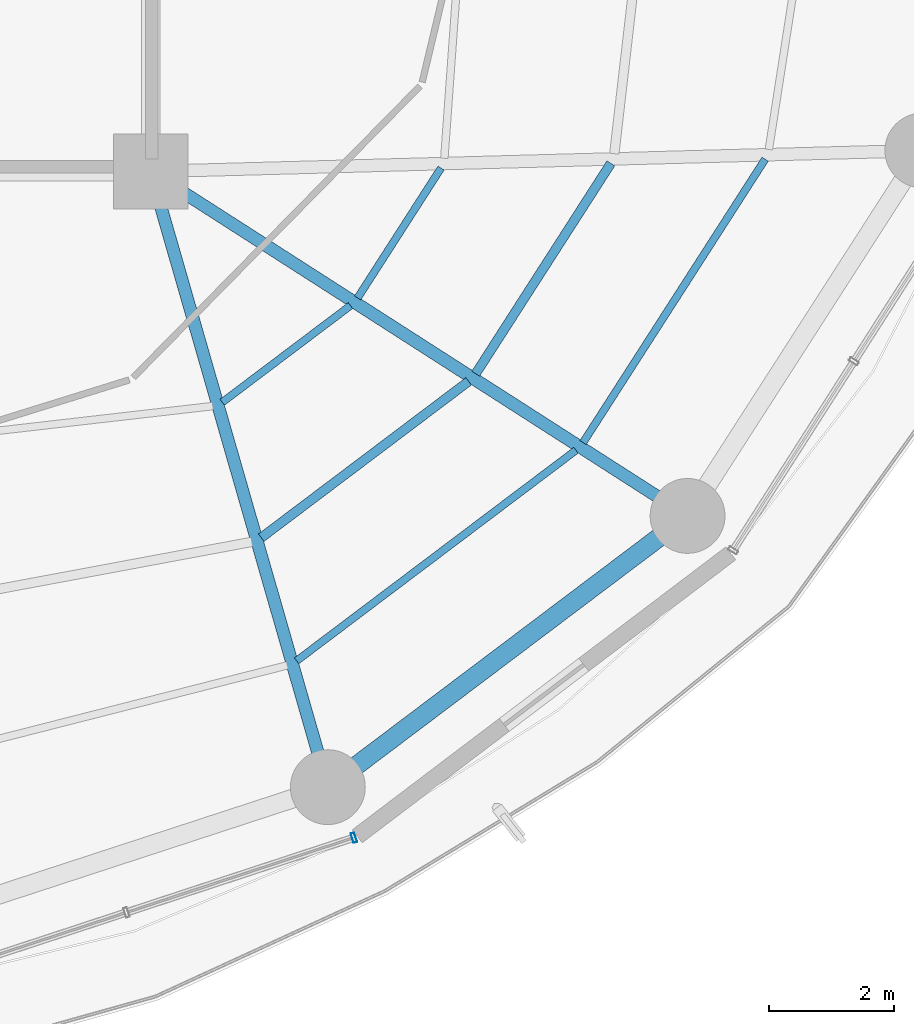
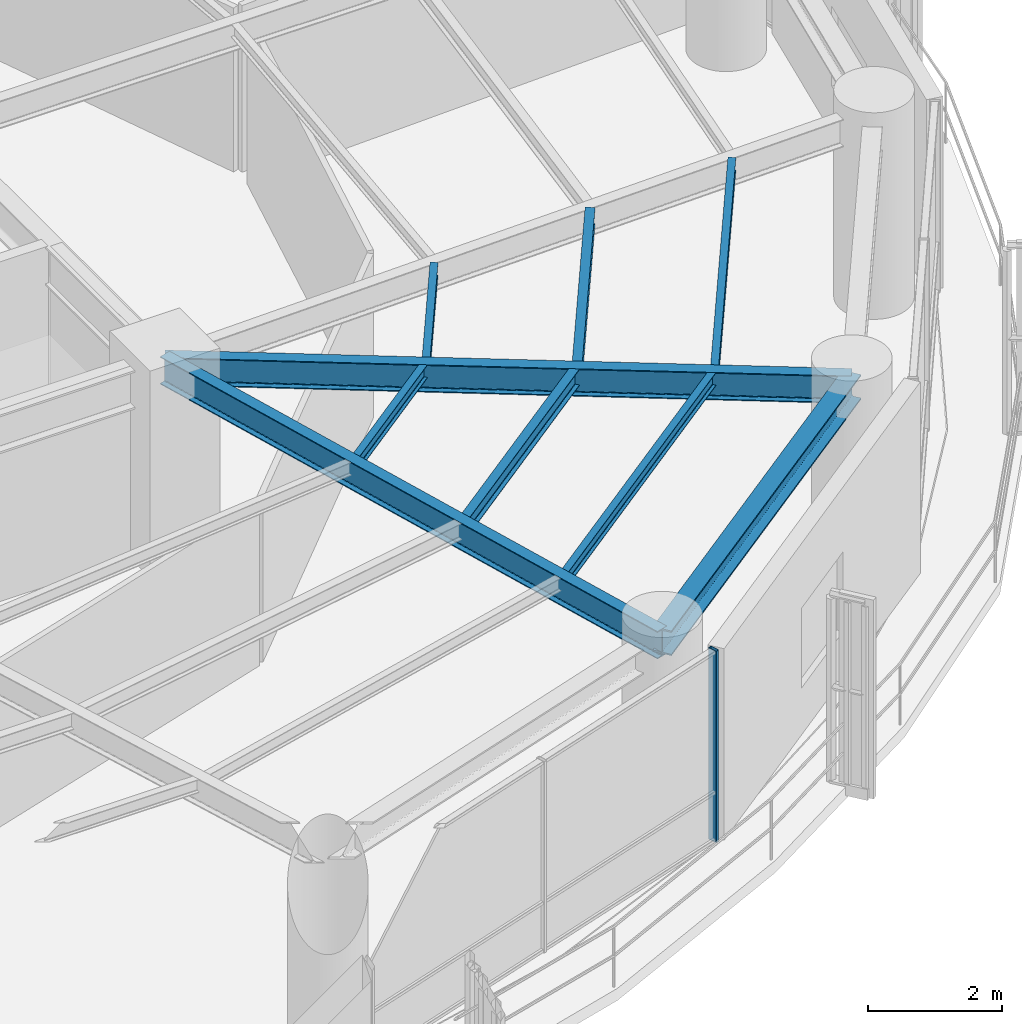
# One storey, part 10 of 28: 9 beams, 1 member, 1 element without a shape of its own.
"""IFC4 building model written with IfcOpenShell, lengths in metres."""

from ifc_helpers import new_model, si_unit, direction, frame, origin, origin_2d, place, context, subcontext, project, spatial, hollow_rectangle, i_section, extrude, material, layer, layer_set, material_profile, profile_set, type_object, element, aggregate, save


model = new_model("IFC4")

# Units and contexts
model_context = context("Model", 3, precision=1e-05, world=origin(), true_north=direction((0.0, 1.0)))
body_context = subcontext(model_context, "Body", "Model", "MODEL_VIEW")
ifc_project = project(units=[si_unit("LENGTHUNIT", "METRE"), si_unit("AREAUNIT", "SQUARE_METRE"), si_unit("VOLUMEUNIT", "CUBIC_METRE"), si_unit("PLANEANGLEUNIT", "RADIAN"), si_unit("MASSUNIT", "GRAM", prefix="KILO")], contexts=[model_context])

# Site, building, storey
site_placement = place(None, origin())
site = spatial("IfcSite", under=ifc_project, at=site_placement, CompositionType="ELEMENT")
building_placement = place(site_placement, origin())
building = spatial("IfcBuilding", under=site, at=building_placement, Name="Kelanora Arch Commons", CompositionType="ELEMENT")
storey_placement = place(building_placement, frame((0.0, 0.0, 161.85009765625)))
storey = spatial("IfcBuildingStorey", under=building, at=storey_placement, Name="L41", CompositionType="ELEMENT", Elevation=161.85009765625)

# Beams
ifc_material_1 = material(Name="Steel S355", Category="steel")
ifc_material_profile_1 = material_profile(ifc_material_1, i_section(OverallWidth=0.14990234375, OverallDepth=0.300048828125, WebThickness=0.007080078125, FlangeThickness=0.0107421875, FilletRadius=0.014892578125, at=origin_2d()), Name="IPE300")
ifc_profile_set_1 = profile_set([ifc_material_profile_1], Name="Steel S355")
beam_type_1 = type_object("IfcBeamType", Name="BM-JST-01", PredefinedType="JOIST", material=ifc_profile_set_1)
beam_1_placement = place(storey_placement, frame((83.77197265625, 45.129150390625, 3.33984375), z_axis=(0.798463547891, 0.602043156833, 0.0), x_axis=(-0.602043156833, 0.798463547891, 0.0)))
element("IfcBeam", 1, at=beam_1_placement, inside=storey, type_object=beam_type_1, Name="Secondary Chord Joist BJB-30 L41", PredefinedType="JOIST", context=body_context, shape_type="SweptSolid", body=[
    extrude(i_section(OverallWidth=0.14990234375, OverallDepth=0.300048828125, WebThickness=0.007080078125, FlangeThickness=0.0107421875, FilletRadius=0.014892578125, at=origin_2d()), origin(), (0.0, 0.0, 1.0), 4.163818359375),
])
beam_2_placement = place(storey_placement, frame((87.210693359375, 47.758544921875, 3.33984375), z_axis=(0.540594434398, 0.841283339606, 0.0), x_axis=(-0.841283339606, 0.540594434398, 0.0)))
element("IfcBeam", 2, at=beam_2_placement, inside=storey, type_object=beam_type_1, Name="Secondary Chord Joist BJB-32 L41", PredefinedType="JOIST", context=body_context, shape_type="SweptSolid", body=[
    extrude(i_section(OverallWidth=0.14990234375, OverallDepth=0.300048828125, WebThickness=0.007080078125, FlangeThickness=0.0107421875, FilletRadius=0.014892578125, at=origin_2d()), origin(), (0.0, 0.0, 1.0), 4.008544921875),
])
ifc_material_profile_2 = material_profile(ifc_material_1, i_section(OverallWidth=0.1201171875, OverallDepth=0.239990234375, WebThickness=0.006103515625, FlangeThickness=0.009765625, FilletRadius=0.014892578125, at=origin_2d()), Name="IPE240")
ifc_profile_set_2 = profile_set([ifc_material_profile_2], Name="Steel S355")
beam_type_2 = type_object("IfcBeamType", Name="BM-JST-02", PredefinedType="JOIST", material=ifc_profile_set_2)
beam_3_placement = place(storey_placement, frame((83.147216796875, 47.300537109375, 3.369873046875), z_axis=(0.798484118859, 0.602015873487, 0.0), x_axis=(-0.602015873487, 0.798484118859, 0.0)))
element("IfcBeam", 3, at=beam_3_placement, inside=storey, type_object=beam_type_2, Name="Secondary Chord Joist BJA-30 L41", PredefinedType="JOIST", context=body_context, shape_type="SweptSolid", body=[
    extrude(i_section(OverallWidth=0.1201171875, OverallDepth=0.239990234375, WebThickness=0.006103515625, FlangeThickness=0.009765625, FilletRadius=0.014892578125, at=origin_2d()), origin(), (0.0, 0.0, 1.0), 2.57470703125),
])
beam_4_placement = place(storey_placement, frame((84.33984375, 43.155029296875, 3.369873046875), z_axis=(0.798493128577, 0.602003923256, 0.0), x_axis=(-0.602003923256, 0.798493128577, 0.0)))
element("IfcBeam", 4, at=beam_4_placement, inside=storey, type_object=beam_type_2, Name="Secondary Chord Joist BJC-30 L41", PredefinedType="JOIST", context=body_context, shape_type="SweptSolid", body=[
    extrude(i_section(OverallWidth=0.1201171875, OverallDepth=0.239990234375, WebThickness=0.006103515625, FlangeThickness=0.009765625, FilletRadius=0.014892578125, at=origin_2d()), origin(), (0.0, 0.0, 1.0), 5.608642578125),
])
beam_5_placement = place(storey_placement, frame((85.31689453125, 48.973388671875, 3.369873046875), z_axis=(0.540583174025, 0.841290575224, 0.0), x_axis=(-0.841290575224, 0.540583174025, 0.0)))
element("IfcBeam", 5, at=beam_5_placement, inside=storey, type_object=beam_type_2, Name="Secondary Chord Joist BJA-32 L41", PredefinedType="JOIST", context=body_context, shape_type="SweptSolid", body=[
    extrude(i_section(OverallWidth=0.1201171875, OverallDepth=0.239990234375, WebThickness=0.006103515625, FlangeThickness=0.009765625, FilletRadius=0.014892578125, at=origin_2d()), origin(), (0.0, 0.0, 1.0), 2.476318359375),
])
beam_6_placement = place(storey_placement, frame((88.93212890625, 46.654296875, 3.369873046875), z_axis=(0.540581678156, 0.841291536414, 0.0), x_axis=(-0.841291536414, 0.540581678156, 0.0)))
element("IfcBeam", 6, at=beam_6_placement, inside=storey, type_object=beam_type_2, Name="Secondary Chord Joist BJC-32 L41", PredefinedType="JOIST", context=body_context, shape_type="SweptSolid", body=[
    extrude(i_section(OverallWidth=0.1201171875, OverallDepth=0.239990234375, WebThickness=0.006103515625, FlangeThickness=0.009765625, FilletRadius=0.014892578125, at=origin_2d()), origin(), (0.0, 0.0, 1.0), 5.4013671875),
])
ifc_material_profile_3 = material_profile(ifc_material_1, i_section(OverallWidth=0.199951171875, OverallDepth=0.5, WebThickness=0.01025390625, FlangeThickness=0.01611328125, FilletRadius=0.02099609375, at=origin_2d()), Name="IPE500")
ifc_profile_set_3 = profile_set([ifc_material_profile_3], Name="Steel S355")
beam_type_3 = type_object("IfcBeamType", Name="BM-RAD-Z3", PredefinedType="BEAM", material=ifc_profile_set_3)
beam_7_placement = place(storey_placement, frame((82.0, 51.0, 3.239990234375), z_axis=(0.276525880065, -0.961006471182, 0.0), x_axis=(0.961006471182, 0.276525880065, 0.0)))
element("IfcBeam", 7, at=beam_7_placement, inside=storey, type_object=beam_type_3, Name="Radial Floor Girder BR-30 L41", PredefinedType="BEAM", context=body_context, shape_type="SweptSolid", body=[
    extrude(i_section(OverallWidth=0.199951171875, OverallDepth=0.5, WebThickness=0.01025390625, FlangeThickness=0.01611328125, FilletRadius=0.02099609375, at=origin_2d()), origin(), (0.0, 0.0, 1.0), 10.2705078125),
])
beam_8_placement = place(storey_placement, frame((82.0, 51.0, 3.239990234375), z_axis=(0.841719465748, -0.539915123868, 0.0), x_axis=(0.539915123868, 0.841719465748, 0.0)))
element("IfcBeam", 8, at=beam_8_placement, inside=storey, type_object=beam_type_3, Name="Radial Floor Girder BR-32 L41", PredefinedType="BEAM", context=body_context, shape_type="SweptSolid", body=[
    extrude(i_section(OverallWidth=0.199951171875, OverallDepth=0.5, WebThickness=0.01025390625, FlangeThickness=0.01611328125, FilletRadius=0.02099609375, at=origin_2d()), origin(), (0.0, 0.0, 1.0), 10.2265625),
])
ifc_material_profile_4 = material_profile(ifc_material_1, i_section(OverallWidth=0.300048828125, OverallDepth=0.449951171875, WebThickness=0.013916015625, FlangeThickness=0.02587890625, FilletRadius=0.027099609375, at=origin_2d()), Name="HEB450")
ifc_profile_set_4 = profile_set([ifc_material_profile_4], Name="Steel S355")
beam_type_4 = type_object("IfcBeamType", Name="BM-SPN-Z3", PredefinedType="SPANDREL", material=ifc_profile_set_4)
beam_9_placement = place(storey_placement, frame((84.840087890625, 41.1298828125, 3.264892578125), z_axis=(0.798484645564, 0.60201517489, 0.0), x_axis=(-0.60201517489, 0.798484645564, 0.0)))
element("IfcBeam", 9, at=beam_9_placement, inside=storey, type_object=beam_type_4, Name="Perimeter Spandrel Beam BS-30 L41", PredefinedType="SPANDREL", context=body_context, shape_type="SweptSolid", body=[
    extrude(i_section(OverallWidth=0.300048828125, OverallDepth=0.449951171875, WebThickness=0.013916015625, FlangeThickness=0.02587890625, FilletRadius=0.027099609375, at=origin_2d()), origin(), (0.0, 0.0, 1.0), 7.223388671875),
])

# Curtain wall, member
ifc_material_2 = material(Name="Terracotta ceramic-fritted low-E glass and aluminium", Category="masonry")
ifc_layer = layer(ifc_material_2, 0.175048828125)
ifc_layer_set = layer_set([ifc_layer], Name="Terracotta ceramic-fritted low-E glass and aluminium")
curtain_wall_type = type_object("IfcCurtainWallType", Name="CW-SYS-02", PredefinedType="NOTDEFINED", material=ifc_layer_set)
curtain_wall_placement = place(storey_placement, origin())
curtain_wall = element("IfcCurtainWall", 10, at=curtain_wall_placement, inside=storey, type_object=curtain_wall_type, Name="Unitised Curtain Wall L41-B14", PredefinedType="NOTDEFINED")
ifc_material_3 = material(Name="Powder-coated aluminium terracotta", Category="masonry")
ifc_material_profile_5 = material_profile(ifc_material_3, hollow_rectangle(XDim=0.159912109375, YDim=0.06005859375, WallThickness=0.0048828125, InnerFilletRadius=0.0048828125, OuterFilletRadius=0.010009765625, at=origin_2d()), Name="CWM160x60")
ifc_profile_set_5 = profile_set([ifc_material_profile_5], Name="Powder-coated aluminium terracotta")
member_type = type_object("IfcMemberType", Name="CWM-STD", PredefinedType="MULLION", material=ifc_profile_set_5)
member_placement = place(storey_placement, frame((85.257080078125, 40.319091796875, 0.0), z_axis=(0.0, 0.0, 1.0), x_axis=(-0.312128279571, 0.95003996605, 0.0)))
member = element("IfcMember", 11, at=member_placement, type_object=member_type, Name="CW-02 mullion 3", PredefinedType="MULLION", context=body_context, shape_type="SweptSolid", body=[
    extrude(hollow_rectangle(XDim=0.159912109375, YDim=0.06005859375, WallThickness=0.0048828125, InnerFilletRadius=0.0048828125, OuterFilletRadius=0.010009765625, at=origin_2d()), origin(), (0.0, 0.0, 1.0), 3.474853515625),
])
aggregate(curtain_wall, [member])

save(model, "model.ifc")
